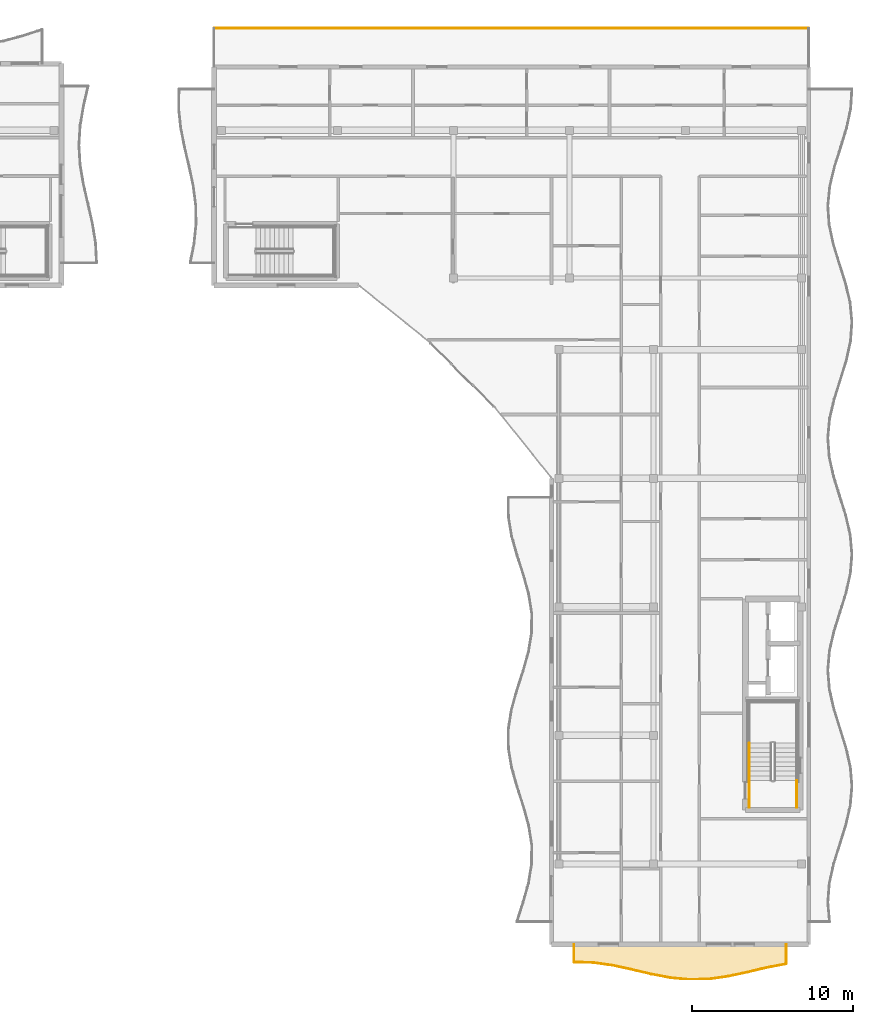
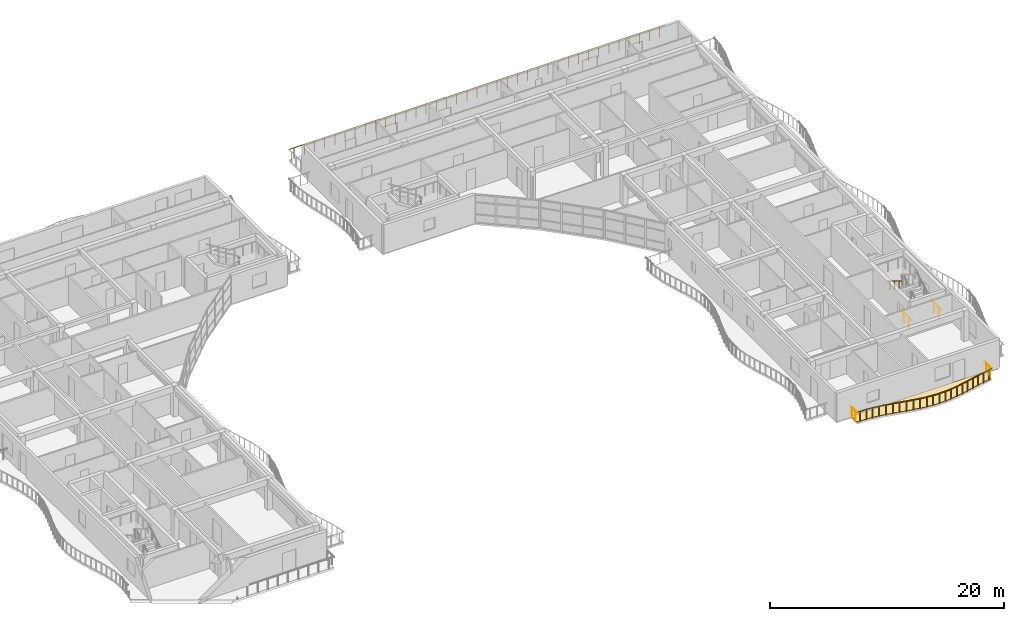
# One storey, part 37 of 39: 17 railings, 1 covering.
"""IFC4 building model written with IfcOpenShell, lengths in metres."""

from ifc_helpers import new_model, si_unit, direction, frame, origin, origin_2d, place, context, subcontext, project, spatial, polyline, circle, outline, extrude, material, layer, layer_set, type_object, element, save


model = new_model("IFC4")

# Units and contexts
model_context = context("Model", 3, precision=1e-05, world=origin(), true_north=direction((0.0, 1.0)))
body_context = subcontext(model_context, "Body", "Model", "MODEL_VIEW")
ifc_project = project(units=[si_unit("LENGTHUNIT", "METRE"), si_unit("AREAUNIT", "SQUARE_METRE"), si_unit("VOLUMEUNIT", "CUBIC_METRE"), si_unit("PLANEANGLEUNIT", "RADIAN"), si_unit("MASSUNIT", "GRAM", prefix="KILO")], contexts=[model_context])

# Site, building, storey
site_placement = place(None, origin())
site = spatial("IfcSite", under=ifc_project, at=site_placement, CompositionType="ELEMENT")
building_placement = place(site_placement, origin())
building = spatial("IfcBuilding", under=site, at=building_placement, Name="Keldmere Railside Commons", CompositionType="ELEMENT")
storey_placement = place(building_placement, frame((0.0, 0.0, 32.9599609375)))
storey = spatial("IfcBuildingStorey", under=building, at=storey_placement, Name="L10", CompositionType="ELEMENT", Elevation=32.9599609375)

# Railings
ifc_material_1 = material(Name="Steel F-24 (S235)", Category="steel")
railing_type_1 = type_object("IfcRailingType", Name="Balcony & Terrace Steel Balustrade 1100", PredefinedType="BALUSTRADE", material=ifc_material_1)
railing_1_placement = place(storey_placement, frame((169.39990234375, 59.0, 0.0)))
element("IfcRailing", 1, at=railing_1_placement, inside=storey, type_object=railing_type_1, Name="GR-1 GRD-L10-4418", PredefinedType="BALUSTRADE", context=body_context, shape_type="SweptSolid", body=[
    extrude(circle(Radius=0.02392578125, at=origin_2d()), frame((0.0, 0.0, 1.076171875), z_axis=(0.0, -1.0, 0.0), x_axis=(1.0, 0.0, 0.0)), (0.0, 0.0, 1.0), 1.105712890625),
    extrude(circle(Radius=0.02099609375, at=origin_2d()), frame((0.0, -0.2763671875, 0.0)), (0.0, 0.0, 1.0), 1.048095703125),
    extrude(circle(Radius=0.02099609375, at=origin_2d()), frame((0.0, -0.829345703125, 0.0)), (0.0, 0.0, 1.0), 1.048095703125),
])
railing_2_placement = place(storey_placement, frame((169.39990234375, 57.894287109375, 0.0)))
element("IfcRailing", 2, at=railing_2_placement, inside=storey, type_object=railing_type_1, Name="GR-1 GRD-L10-4419", PredefinedType="BALUSTRADE", context=body_context, shape_type="SweptSolid", body=[
    extrude(circle(Radius=0.02392578125, at=origin_2d()), frame((0.0, 0.0, 1.076171875), z_axis=(0.999617549817, -0.027654187709, 0.0), x_axis=(0.027654187709, 0.999617549817, 0.0)), (0.0, 0.0, 1.0), 1.20068359375),
    extrude(circle(Radius=0.02099609375, at=origin_2d()), frame((0.300048828125, -0.00830078125, 0.0)), (0.0, 0.0, 1.0), 1.048095703125),
    extrude(circle(Radius=0.02099609375, at=origin_2d()), frame((0.900146484375, -0.02490234375, 0.0)), (0.0, 0.0, 1.0), 1.048095703125),
])
railing_3_placement = place(storey_placement, frame((170.60009765625, 57.861083984375, 0.0)))
element("IfcRailing", 3, at=railing_3_placement, inside=storey, type_object=railing_type_1, Name="GR-1 GRD-L10-4420", PredefinedType="BALUSTRADE", context=body_context, shape_type="SweptSolid", body=[
    extrude(circle(Radius=0.02392578125, at=origin_2d()), frame((0.0, 0.0, 1.076171875), z_axis=(0.990121997015, -0.140208526942, 0.0), x_axis=(0.140208526942, 0.990121997015, 0.0)), (0.0, 0.0, 1.0), 1.2119140625),
    extrude(circle(Radius=0.02099609375, at=origin_2d()), frame((0.300048828125, -0.04248046875, 0.0)), (0.0, 0.0, 1.0), 1.048095703125),
    extrude(circle(Radius=0.02099609375, at=origin_2d()), frame((0.89990234375, -0.12744140625, 0.0)), (0.0, 0.0, 1.0), 1.048095703125),
])
railing_4_placement = place(storey_placement, frame((171.800048828125, 57.691162109375, 0.0)))
element("IfcRailing", 4, at=railing_4_placement, inside=storey, type_object=railing_type_1, Name="GR-1 GRD-L10-4421", PredefinedType="BALUSTRADE", context=body_context, shape_type="SweptSolid", body=[
    extrude(circle(Radius=0.02392578125, at=origin_2d()), frame((0.0, 0.0, 1.076171875), z_axis=(0.977072184871, -0.212908303153, 0.0), x_axis=(0.212908303153, 0.977072184871, 0.0)), (0.0, 0.0, 1.0), 1.22802734375),
    extrude(circle(Radius=0.02099609375, at=origin_2d()), frame((0.300048828125, -0.0654296875, 0.0)), (0.0, 0.0, 1.0), 1.048095703125),
    extrude(circle(Radius=0.02099609375, at=origin_2d()), frame((0.89990234375, -0.196044921875, 0.0)), (0.0, 0.0, 1.0), 1.048095703125),
])
railing_5_placement = place(storey_placement, frame((173.0, 57.4296875, 0.0)))
element("IfcRailing", 5, at=railing_5_placement, inside=storey, type_object=railing_type_1, Name="GR-1 GRD-L10-4422", PredefinedType="BALUSTRADE", context=body_context, shape_type="SweptSolid", body=[
    extrude(circle(Radius=0.02392578125, at=origin_2d()), frame((0.0, 0.0, 1.076171875), z_axis=(0.973349598813, -0.22932631443, 0.0), x_axis=(0.22932631443, 0.973349598813, 0.0)), (0.0, 0.0, 1.0), 1.23291015625),
    extrude(circle(Radius=0.02099609375, at=origin_2d()), frame((0.300048828125, -0.07080078125, 0.0)), (0.0, 0.0, 1.0), 1.048095703125),
    extrude(circle(Radius=0.02099609375, at=origin_2d()), frame((0.89990234375, -0.2119140625, 0.0)), (0.0, 0.0, 1.0), 1.048095703125),
])
railing_6_placement = place(storey_placement, frame((174.199951171875, 57.14697265625, 0.0)))
element("IfcRailing", 6, at=railing_6_placement, inside=storey, type_object=railing_type_1, Name="GR-1 GRD-L10-4423", PredefinedType="BALUSTRADE", context=body_context, shape_type="SweptSolid", body=[
    extrude(circle(Radius=0.02392578125, at=origin_2d()), frame((0.0, 0.0, 1.076171875), z_axis=(0.982382275762, -0.186882487861, 0.0), x_axis=(0.186882487861, 0.982382275762, 0.0)), (0.0, 0.0, 1.0), 1.221435546875),
    extrude(circle(Radius=0.02099609375, at=origin_2d()), frame((0.300048828125, -0.05712890625, 0.0)), (0.0, 0.0, 1.0), 1.048095703125),
    extrude(circle(Radius=0.02099609375, at=origin_2d()), frame((0.89990234375, -0.171142578125, 0.0)), (0.0, 0.0, 1.0), 1.048095703125),
])
railing_7_placement = place(storey_placement, frame((175.39990234375, 56.918701171875, 0.0)))
element("IfcRailing", 7, at=railing_7_placement, inside=storey, type_object=railing_type_1, Name="GR-1 GRD-L10-4424", PredefinedType="BALUSTRADE", context=body_context, shape_type="SweptSolid", body=[
    extrude(circle(Radius=0.02392578125, at=origin_2d()), frame((0.0, 0.0, 1.076171875), z_axis=(0.99561302648, -0.093566561886, 0.0), x_axis=(0.093566561886, 0.99561302648, 0.0)), (0.0, 0.0, 1.0), 1.20556640625),
    extrude(circle(Radius=0.02099609375, at=origin_2d()), frame((0.300048828125, -0.0283203125, 0.0)), (0.0, 0.0, 1.0), 1.048095703125),
    extrude(circle(Radius=0.02099609375, at=origin_2d()), frame((0.900146484375, -0.08447265625, 0.0)), (0.0, 0.0, 1.0), 1.048095703125),
])
railing_8_placement = place(storey_placement, frame((176.60009765625, 56.805908203125, 0.0)))
element("IfcRailing", 8, at=railing_8_placement, inside=storey, type_object=railing_type_1, Name="GR-1 GRD-L10-4425", PredefinedType="BALUSTRADE", context=body_context, shape_type="SweptSolid", body=[
    extrude(circle(Radius=0.02392578125, at=origin_2d()), frame((0.0, 0.0, 1.076171875), z_axis=(0.999622996964, 0.027456582826, 0.0), x_axis=(-0.027456582826, 0.999622996964, 0.0)), (0.0, 0.0, 1.0), 1.200439453125),
    extrude(circle(Radius=0.02099609375, at=origin_2d()), frame((0.300048828125, 0.00830078125, 0.0)), (0.0, 0.0, 1.0), 1.048095703125),
    extrude(circle(Radius=0.02099609375, at=origin_2d()), frame((0.89990234375, 0.024658203125, 0.0)), (0.0, 0.0, 1.0), 1.048095703125),
])
railing_9_placement = place(storey_placement, frame((177.800048828125, 56.8388671875, 0.0)))
element("IfcRailing", 9, at=railing_9_placement, inside=storey, type_object=railing_type_1, Name="GR-1 GRD-L10-4426", PredefinedType="BALUSTRADE", context=body_context, shape_type="SweptSolid", body=[
    extrude(circle(Radius=0.02392578125, at=origin_2d()), frame((0.0, 0.0, 1.076171875), z_axis=(0.990121997015, 0.140208526942, 0.0), x_axis=(-0.140208526942, 0.990121997015, 0.0)), (0.0, 0.0, 1.0), 1.2119140625),
    extrude(circle(Radius=0.02099609375, at=origin_2d()), frame((0.300048828125, 0.04248046875, 0.0)), (0.0, 0.0, 1.0), 1.048095703125),
    extrude(circle(Radius=0.02099609375, at=origin_2d()), frame((0.89990234375, 0.12744140625, 0.0)), (0.0, 0.0, 1.0), 1.048095703125),
])
railing_10_placement = place(storey_placement, frame((179.0, 57.0087890625, 0.0)))
element("IfcRailing", 10, at=railing_10_placement, inside=storey, type_object=railing_type_1, Name="GR-1 GRD-L10-4427", PredefinedType="BALUSTRADE", context=body_context, shape_type="SweptSolid", body=[
    extrude(circle(Radius=0.02392578125, at=origin_2d()), frame((0.0, 0.0, 1.076171875), z_axis=(0.977072184871, 0.212908303153, 0.0), x_axis=(-0.212908303153, 0.977072184871, 0.0)), (0.0, 0.0, 1.0), 1.22802734375),
    extrude(circle(Radius=0.02099609375, at=origin_2d()), frame((0.300048828125, 0.0654296875, 0.0)), (0.0, 0.0, 1.0), 1.048095703125),
    extrude(circle(Radius=0.02099609375, at=origin_2d()), frame((0.89990234375, 0.196044921875, 0.0)), (0.0, 0.0, 1.0), 1.048095703125),
])
railing_11_placement = place(storey_placement, frame((180.199951171875, 57.270263671875, 0.0)))
element("IfcRailing", 11, at=railing_11_placement, inside=storey, type_object=railing_type_1, Name="GR-1 GRD-L10-4428", PredefinedType="BALUSTRADE", context=body_context, shape_type="SweptSolid", body=[
    extrude(circle(Radius=0.02392578125, at=origin_2d()), frame((0.0, 0.0, 1.076171875), z_axis=(0.973349598813, 0.22932631443, 0.0), x_axis=(-0.22932631443, 0.973349598813, 0.0)), (0.0, 0.0, 1.0), 1.23291015625),
    extrude(circle(Radius=0.02099609375, at=origin_2d()), frame((0.300048828125, 0.07080078125, 0.0)), (0.0, 0.0, 1.0), 1.048095703125),
    extrude(circle(Radius=0.02099609375, at=origin_2d()), frame((0.89990234375, 0.2119140625, 0.0)), (0.0, 0.0, 1.0), 1.048095703125),
])
railing_12_placement = place(storey_placement, frame((181.39990234375, 57.552978515625, 0.0)))
element("IfcRailing", 12, at=railing_12_placement, inside=storey, type_object=railing_type_1, Name="GR-1 GRD-L10-4429", PredefinedType="BALUSTRADE", context=body_context, shape_type="SweptSolid", body=[
    extrude(circle(Radius=0.02392578125, at=origin_2d()), frame((0.0, 0.0, 1.076171875), z_axis=(0.982352555981, 0.187038647762, 0.0), x_axis=(-0.187038647762, 0.982352555981, 0.0)), (0.0, 0.0, 1.0), 1.2216796875),
    extrude(circle(Radius=0.02099609375, at=origin_2d()), frame((0.300048828125, 0.05712890625, 0.0)), (0.0, 0.0, 1.0), 1.048095703125),
    extrude(circle(Radius=0.02099609375, at=origin_2d()), frame((0.900146484375, 0.17138671875, 0.0)), (0.0, 0.0, 1.0), 1.048095703125),
])
railing_13_placement = place(storey_placement, frame((182.60009765625, 57.781494140625, 0.0)))
element("IfcRailing", 13, at=railing_13_placement, inside=storey, type_object=railing_type_1, Name="GR-1 GRD-L10-4430", PredefinedType="BALUSTRADE", context=body_context, shape_type="SweptSolid", body=[
    extrude(circle(Radius=0.02392578125, at=origin_2d()), frame((0.0, 0.0, 1.076171875), z_axis=(0.0, 1.0, 0.0), x_axis=(-1.0, 0.0, 0.0)), (0.0, 0.0, 1.0), 1.218505859375),
    extrude(circle(Radius=0.02099609375, at=origin_2d()), frame((0.0, 0.3046875, 0.0)), (0.0, 0.0, 1.0), 1.048095703125),
    extrude(circle(Radius=0.02099609375, at=origin_2d()), frame((0.0, 0.913818359375, 0.0)), (0.0, 0.0, 1.0), 1.048095703125),
])
railing_14_placement = place(storey_placement, frame((147.0, 116.0, 0.0)))
element("IfcRailing", 14, at=railing_14_placement, inside=storey, type_object=railing_type_1, Name="GR-1 GRD-L10-4432", PredefinedType="BALUSTRADE", context=body_context, shape_type="SweptSolid", body=[
    extrude(circle(Radius=0.02392578125, at=origin_2d()), frame((0.0, 0.0, 1.076171875), z_axis=(1.0, 0.0, 0.0), x_axis=(0.0, 1.0, 0.0)), (0.0, 0.0, 1.0), 37.0),
    extrude(circle(Radius=0.02099609375, at=origin_2d()), frame((0.5, 0.0, 0.0)), (0.0, 0.0, 1.0), 1.048095703125),
    extrude(circle(Radius=0.02099609375, at=origin_2d()), frame((1.5, 0.0, 0.0)), (0.0, 0.0, 1.0), 1.048095703125),
    extrude(circle(Radius=0.02099609375, at=origin_2d()), frame((2.5, 0.0, 0.0)), (0.0, 0.0, 1.0), 1.048095703125),
    extrude(circle(Radius=0.02099609375, at=origin_2d()), frame((3.5, 0.0, 0.0)), (0.0, 0.0, 1.0), 1.048095703125),
    extrude(circle(Radius=0.02099609375, at=origin_2d()), frame((4.5, 0.0, 0.0)), (0.0, 0.0, 1.0), 1.048095703125),
    extrude(circle(Radius=0.02099609375, at=origin_2d()), frame((5.5, 0.0, 0.0)), (0.0, 0.0, 1.0), 1.048095703125),
    extrude(circle(Radius=0.02099609375, at=origin_2d()), frame((6.5, 0.0, 0.0)), (0.0, 0.0, 1.0), 1.048095703125),
    extrude(circle(Radius=0.02099609375, at=origin_2d()), frame((7.5, 0.0, 0.0)), (0.0, 0.0, 1.0), 1.048095703125),
    extrude(circle(Radius=0.02099609375, at=origin_2d()), frame((8.5, 0.0, 0.0)), (0.0, 0.0, 1.0), 1.048095703125),
    extrude(circle(Radius=0.02099609375, at=origin_2d()), frame((9.5, 0.0, 0.0)), (0.0, 0.0, 1.0), 1.048095703125),
    extrude(circle(Radius=0.02099609375, at=origin_2d()), frame((10.5, 0.0, 0.0)), (0.0, 0.0, 1.0), 1.048095703125),
    extrude(circle(Radius=0.02099609375, at=origin_2d()), frame((11.5, 0.0, 0.0)), (0.0, 0.0, 1.0), 1.048095703125),
    extrude(circle(Radius=0.02099609375, at=origin_2d()), frame((12.5, 0.0, 0.0)), (0.0, 0.0, 1.0), 1.048095703125),
    extrude(circle(Radius=0.02099609375, at=origin_2d()), frame((13.5, 0.0, 0.0)), (0.0, 0.0, 1.0), 1.048095703125),
    extrude(circle(Radius=0.02099609375, at=origin_2d()), frame((14.5, 0.0, 0.0)), (0.0, 0.0, 1.0), 1.048095703125),
    extrude(circle(Radius=0.02099609375, at=origin_2d()), frame((15.5, 0.0, 0.0)), (0.0, 0.0, 1.0), 1.048095703125),
    extrude(circle(Radius=0.02099609375, at=origin_2d()), frame((16.5, 0.0, 0.0)), (0.0, 0.0, 1.0), 1.048095703125),
    extrude(circle(Radius=0.02099609375, at=origin_2d()), frame((17.5, 0.0, 0.0)), (0.0, 0.0, 1.0), 1.048095703125),
    extrude(circle(Radius=0.02099609375, at=origin_2d()), frame((18.5, 0.0, 0.0)), (0.0, 0.0, 1.0), 1.048095703125),
    extrude(circle(Radius=0.02099609375, at=origin_2d()), frame((19.5, 0.0, 0.0)), (0.0, 0.0, 1.0), 1.048095703125),
    extrude(circle(Radius=0.02099609375, at=origin_2d()), frame((20.5, 0.0, 0.0)), (0.0, 0.0, 1.0), 1.048095703125),
    extrude(circle(Radius=0.02099609375, at=origin_2d()), frame((21.5, 0.0, 0.0)), (0.0, 0.0, 1.0), 1.048095703125),
    extrude(circle(Radius=0.02099609375, at=origin_2d()), frame((22.5, 0.0, 0.0)), (0.0, 0.0, 1.0), 1.048095703125),
    extrude(circle(Radius=0.02099609375, at=origin_2d()), frame((23.5, 0.0, 0.0)), (0.0, 0.0, 1.0), 1.048095703125),
    extrude(circle(Radius=0.02099609375, at=origin_2d()), frame((24.5, 0.0, 0.0)), (0.0, 0.0, 1.0), 1.048095703125),
    extrude(circle(Radius=0.02099609375, at=origin_2d()), frame((25.5, 0.0, 0.0)), (0.0, 0.0, 1.0), 1.048095703125),
    extrude(circle(Radius=0.02099609375, at=origin_2d()), frame((26.5, 0.0, 0.0)), (0.0, 0.0, 1.0), 1.048095703125),
    extrude(circle(Radius=0.02099609375, at=origin_2d()), frame((27.5, 0.0, 0.0)), (0.0, 0.0, 1.0), 1.048095703125),
    extrude(circle(Radius=0.02099609375, at=origin_2d()), frame((28.5, 0.0, 0.0)), (0.0, 0.0, 1.0), 1.048095703125),
    extrude(circle(Radius=0.02099609375, at=origin_2d()), frame((29.5, 0.0, 0.0)), (0.0, 0.0, 1.0), 1.048095703125),
    extrude(circle(Radius=0.02099609375, at=origin_2d()), frame((30.5, 0.0, 0.0)), (0.0, 0.0, 1.0), 1.048095703125),
    extrude(circle(Radius=0.02099609375, at=origin_2d()), frame((31.5, 0.0, 0.0)), (0.0, 0.0, 1.0), 1.048095703125),
    extrude(circle(Radius=0.02099609375, at=origin_2d()), frame((32.5, 0.0, 0.0)), (0.0, 0.0, 1.0), 1.048095703125),
    extrude(circle(Radius=0.02099609375, at=origin_2d()), frame((33.5, 0.0, 0.0)), (0.0, 0.0, 1.0), 1.048095703125),
    extrude(circle(Radius=0.02099609375, at=origin_2d()), frame((34.5, 0.0, 0.0)), (0.0, 0.0, 1.0), 1.048095703125),
    extrude(circle(Radius=0.02099609375, at=origin_2d()), frame((35.5, 0.0, 0.0)), (0.0, 0.0, 1.0), 1.048095703125),
    extrude(circle(Radius=0.02099609375, at=origin_2d()), frame((36.5, 0.0, 0.0)), (0.0, 0.0, 1.0), 1.048095703125),
])
railing_type_2 = type_object("IfcRailingType", Name="Stair Well Steel Guardrail 1100", PredefinedType="BALUSTRADE", material=ifc_material_1)
for number, where, name in (
    (15, (183.25, 67.5, 0.0), "L10 ST-A1 stair guard 8"),
    (16, (180.300048828125, 67.5, 0.0), "L10 ST-A1 stair guard 9"),
):
    element("IfcRailing", number, at=place(storey_placement, frame(where)), inside=storey, type_object=railing_type_2, Name=name, PredefinedType="BALUSTRADE", context=body_context, shape_type="SweptSolid", body=[
        extrude(circle(Radius=0.02392578125, at=origin_2d()), frame((0.0, 0.0, 1.076171875), z_axis=(0.0, 1.0, 0.0), x_axis=(-1.0, 0.0, 0.0)), (0.0, 0.0, 1.0), 1.699951171875),
        extrude(circle(Radius=0.02099609375, at=origin_2d()), frame((0.0, 0.425048828125, 0.0)), (0.0, 0.0, 1.0), 1.048095703125),
        extrude(circle(Radius=0.02099609375, at=origin_2d()), frame((0.0, 1.27490234375, 0.0)), (0.0, 0.0, 1.0), 1.048095703125),
    ])
railing_type_3 = type_object("IfcRailingType", Name="Wall-Mounted Tubular Steel Handrail 900", PredefinedType="HANDRAIL", material=ifc_material_1)
railing_15_placement = place(storey_placement, frame((180.300048828125, 71.52001953125, 1.77783203125)))
element("IfcRailing", 17, at=railing_15_placement, inside=storey, type_object=railing_type_3, Name="L10 ST-A1 stair handrail 2", PredefinedType="HANDRAIL", context=body_context, shape_type="SweptSolid", body=[
    extrude(circle(Radius=0.02392578125, at=origin_2d()), frame((0.0, 0.0, 0.8759765625), z_axis=(0.0, -0.852578041948, 0.522599925744), x_axis=(1.0, 0.0, 0.0)), (0.0, 0.0, 1.0), 2.72119140625),
    extrude(circle(Radius=0.02099609375, at=origin_2d()), frame((0.0, -0.38671875, 0.237060546875)), (0.0, 0.0, 1.0), 0.847900390625),
    extrude(circle(Radius=0.02099609375, at=origin_2d()), frame((0.0, -1.16015625, 0.7109375)), (0.0, 0.0, 1.0), 0.847900390625),
    extrude(circle(Radius=0.02099609375, at=origin_2d()), frame((0.0, -1.933349609375, 1.18505859375)), (0.0, 0.0, 1.0), 0.847900390625),
])

# Covering
ifc_material_2 = material(Name="White Precast Concrete C35/45", Category="concrete")
ifc_layer = layer(ifc_material_2, 0.044921875, Name="White Architectural Balcony Ribbon Cladding 45")
ifc_layer_set = layer_set([ifc_layer], Name="White Precast Concrete C35/45")
covering_type = type_object("IfcCoveringType", Name="White Architectural Balcony Ribbon Cladding 45", PredefinedType="FLOORING", material=ifc_layer_set)
covering_placement = place(storey_placement, origin())
element("IfcCovering", 18, at=covering_placement, inside=storey, type_object=covering_type, Name="CLG-WB A L10 S White Balcony Ribbon", PredefinedType="FLOORING", context=body_context, shape_type="SweptSolid", body=[
    extrude(outline(polyline([(170.60107421875, 57.901123046875), (170.605712890625, 57.90087890625), (171.8056640625, 57.730712890625), (171.80859375, 57.730224609375), (173.008544921875, 57.468994140625), (173.00927734375, 57.46875), (174.208251953125, 57.18603515625), (175.405517578125, 56.958251953125), (176.601318359375, 56.845947265625), (177.796630859375, 56.878662109375), (178.992919921875, 57.048095703125), (180.191162109375, 57.30908203125), (181.390869140625, 57.591796875), (181.392578125, 57.59228515625), (182.56005859375, 57.814453125), (182.56005859375, 58.9599609375), (169.43994140625, 58.9599609375), (169.43994140625, 57.93310546875), (170.60107421875, 57.901123046875)])), origin(), (0.0, 0.0, 1.0), 0.044921875),
])

save(model, "model.ifc")
